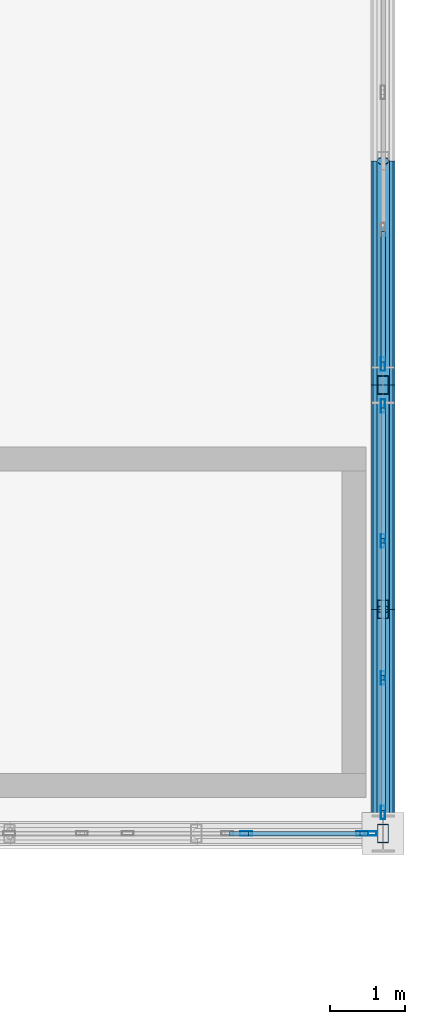
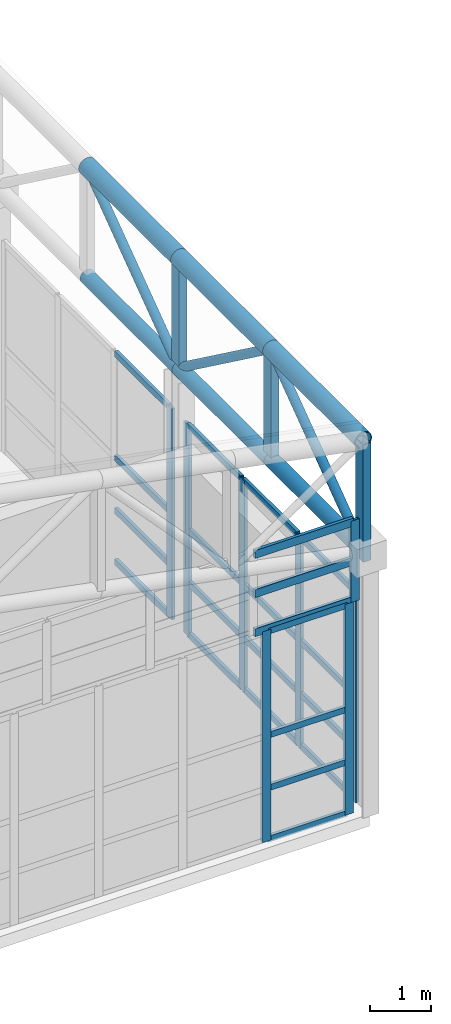
# One storey, part 54 of 112: 43 members, 4 elements without a shape of their own.
"""IFC4 building model written with IfcOpenShell, lengths in metres."""

from ifc_helpers import new_model, si_unit, direction, frame, origin, origin_2d, place, context, subcontext, project, spatial, hollow_rectangle, hollow_circle, extrude, material, material_profile, profile_set, type_object, element, aggregate, save


model = new_model("IFC4")

# Units and contexts
model_context = context("Model", 3, precision=1e-05, world=origin(), true_north=direction((0.0, 1.0)))
body_context = subcontext(model_context, "Body", "Model", "MODEL_VIEW")
ifc_project = project(units=[si_unit("LENGTHUNIT", "METRE"), si_unit("AREAUNIT", "SQUARE_METRE"), si_unit("VOLUMEUNIT", "CUBIC_METRE"), si_unit("PLANEANGLEUNIT", "RADIAN"), si_unit("MASSUNIT", "GRAM", prefix="KILO")], contexts=[model_context])

# Site, building, storey
site_placement = place(None, origin())
site = spatial("IfcSite", under=ifc_project, at=site_placement, CompositionType="ELEMENT")
building_placement = place(site_placement, origin())
building = spatial("IfcBuilding", under=site, at=building_placement, Name="Kaldris Quays Convention Centre", CompositionType="ELEMENT")
storey_placement = place(building_placement, frame((0.0, 0.0, 16.800048828125)))
storey = spatial("IfcBuildingStorey", under=building, at=storey_placement, Name="L03", CompositionType="ELEMENT", Elevation=16.800048828125)

# Curtain wall, members
ifc_material_1 = material(Name="Anodized aluminium AW-6060 and triple glazing", Category="aluminium")
curtain_wall_type_1 = type_object("IfcCurtainWallType", Name="UNITISED CURTAIN WALL CW01", PredefinedType="NOTDEFINED", material=ifc_material_1)
curtain_wall_1_placement = place(storey_placement, origin())
curtain_wall_1 = element("IfcCurtainWall", 1, at=curtain_wall_1_placement, inside=storey, type_object=curtain_wall_type_1, Name="L03 Unitised Curtain Wall CW01 39", PredefinedType="NOTDEFINED")
ifc_material_2 = material(Name="Anodized aluminium AW-6060", Category="aluminium")
ifc_material_profile_1 = material_profile(ifc_material_2, hollow_rectangle(XDim=0.06005859375, YDim=0.159912109375, WallThickness=0.00390625, at=origin_2d()), Name="RHS 160x60x4")
ifc_profile_set_1 = profile_set([ifc_material_profile_1], Name="Anodized aluminium AW-6060")
member_type_1 = type_object("IfcMemberType", Name="CURTAIN MULLION CWM1", PredefinedType="MULLION", material=ifc_profile_set_1)
member_1_placement = place(storey_placement, frame((202.166748046875, 56.0, 0.0), z_axis=(0.0, 0.0, 1.0), x_axis=(0.0, 1.0, 0.0)))
member_1 = element("IfcMember", 2, at=member_1_placement, type_object=member_type_1, Name="CW01 mullion 6", PredefinedType="MULLION", context=body_context, shape_type="SweptSolid", body=[
    extrude(hollow_rectangle(XDim=0.06005859375, YDim=0.159912109375, WallThickness=0.00390625, at=origin_2d()), origin(), (0.0, 0.0, 1.0), 4.199951171875),
])
member_2_placement = place(storey_placement, frame((203.719970703125, 56.0, 0.0), z_axis=(0.0, 0.0, 1.0), x_axis=(0.0, 1.0, 0.0)))
member_2 = element("IfcMember", 3, at=member_2_placement, type_object=member_type_1, Name="CW01 mullion 7", PredefinedType="MULLION", context=body_context, shape_type="SweptSolid", body=[
    extrude(hollow_rectangle(XDim=0.06005859375, YDim=0.159912109375, WallThickness=0.00390625, at=origin_2d()), origin(), (0.0, 0.0, 1.0), 4.199951171875),
])

# Curtain wall, member
curtain_wall_type_2 = type_object("IfcCurtainWallType", Name="UNITISED CURTAIN WALL CW05", PredefinedType="NOTDEFINED", material=ifc_material_1)
curtain_wall_2_placement = place(storey_placement, origin())
curtain_wall_2 = element("IfcCurtainWall", 4, at=curtain_wall_2_placement, inside=storey, type_object=curtain_wall_type_2, Name="L03 Unitised Curtain Wall CW05 258", PredefinedType="NOTDEFINED")
member_3_placement = place(storey_placement, frame((203.830078125, 56.0, 4.195068359375), z_axis=(0.0, 0.0, 1.0), x_axis=(0.0, 1.0, 0.0)))
member_3 = element("IfcMember", 5, at=member_3_placement, type_object=member_type_1, Name="CW05 mullion 6", PredefinedType="MULLION", context=body_context, shape_type="SweptSolid", body=[
    extrude(hollow_rectangle(XDim=0.06005859375, YDim=0.159912109375, WallThickness=0.00390625, at=origin_2d()), origin(), (0.0, 0.0, 1.0), 1.618896484375),
])

# Curtain wall, members
curtain_wall_type_3 = type_object("IfcCurtainWallType", Name="UNITISED CURTAIN WALL CW02", PredefinedType="NOTDEFINED", material=ifc_material_1)
curtain_wall_3_placement = place(storey_placement, origin())
curtain_wall_3 = element("IfcCurtainWall", 6, at=curtain_wall_3_placement, inside=storey, type_object=curtain_wall_type_3, Name="L03 Unitised Curtain Wall CW02 40", PredefinedType="NOTDEFINED")
ifc_material_profile_2 = material_profile(ifc_material_2, hollow_rectangle(XDim=0.06005859375, YDim=0.179931640625, WallThickness=0.0048828125, at=origin_2d()), Name="RHS 180x60x5")
ifc_profile_set_2 = profile_set([ifc_material_profile_2], Name="Anodized aluminium AW-6060")
member_type_2 = type_object("IfcMemberType", Name="CURTAIN MULLION CWM2", PredefinedType="MULLION", material=ifc_profile_set_2)
member_4_placement = place(storey_placement, frame((204.0, 56.280029296875, 0.0), z_axis=(0.0, 0.0, 1.0), x_axis=(-1.0, 0.0, 0.0)))
member_4 = element("IfcMember", 7, at=member_4_placement, type_object=member_type_2, Name="CW02 mullion 1", PredefinedType="MULLION", context=body_context, shape_type="SweptSolid", body=[
    extrude(hollow_rectangle(XDim=0.06005859375, YDim=0.179931640625, WallThickness=0.0048828125, at=origin_2d()), origin(), (0.0, 0.0, 1.0), 4.199951171875),
])
member_5_placement = place(storey_placement, frame((204.0, 58.083251953125, 0.0), z_axis=(0.0, 0.0, 1.0), x_axis=(-1.0, 0.0, 0.0)))
member_5 = element("IfcMember", 8, at=member_5_placement, type_object=member_type_2, Name="CW02 mullion 2", PredefinedType="MULLION", context=body_context, shape_type="SweptSolid", body=[
    extrude(hollow_rectangle(XDim=0.06005859375, YDim=0.179931640625, WallThickness=0.0048828125, at=origin_2d()), origin(), (0.0, 0.0, 1.0), 4.199951171875),
])
member_6_placement = place(storey_placement, frame((204.0, 59.916748046875, 0.0), z_axis=(0.0, 0.0, 1.0), x_axis=(-1.0, 0.0, 0.0)))
member_6 = element("IfcMember", 9, at=member_6_placement, type_object=member_type_2, Name="CW02 mullion 3", PredefinedType="MULLION", context=body_context, shape_type="SweptSolid", body=[
    extrude(hollow_rectangle(XDim=0.06005859375, YDim=0.179931640625, WallThickness=0.0048828125, at=origin_2d()), origin(), (0.0, 0.0, 1.0), 4.199951171875),
])
member_7_placement = place(storey_placement, frame((204.0, 61.719970703125, 0.0), z_axis=(0.0, 0.0, 1.0), x_axis=(-1.0, 0.0, 0.0)))
member_7 = element("IfcMember", 10, at=member_7_placement, type_object=member_type_2, Name="CW02 mullion 4", PredefinedType="MULLION", context=body_context, shape_type="SweptSolid", body=[
    extrude(hollow_rectangle(XDim=0.06005859375, YDim=0.179931640625, WallThickness=0.0048828125, at=origin_2d()), origin(), (0.0, 0.0, 1.0), 4.199951171875),
])

# Curtain wall, member
curtain_wall_4_placement = place(storey_placement, origin())
curtain_wall_4 = element("IfcCurtainWall", 11, at=curtain_wall_4_placement, inside=storey, type_object=curtain_wall_type_3, Name="L03 Unitised Curtain Wall CW02 41", PredefinedType="NOTDEFINED")
member_8_placement = place(storey_placement, frame((204.0, 62.280029296875, 0.0), z_axis=(0.0, 0.0, 1.0), x_axis=(-1.0, 0.0, 0.0)))
member_8 = element("IfcMember", 12, at=member_8_placement, type_object=member_type_2, Name="CW02 mullion 1", PredefinedType="MULLION", context=body_context, shape_type="SweptSolid", body=[
    extrude(hollow_rectangle(XDim=0.06005859375, YDim=0.179931640625, WallThickness=0.0048828125, at=origin_2d()), origin(), (0.0, 0.0, 1.0), 4.199951171875),
])

# Member
ifc_material_profile_3 = material_profile(ifc_material_2, hollow_rectangle(XDim=0.06005859375, YDim=0.1201171875, WallThickness=0.00390625, at=origin_2d()), Name="RHS 120x60x4")
ifc_profile_set_3 = profile_set([ifc_material_profile_3], Name="Anodized aluminium AW-6060")
member_type_3 = type_object("IfcMemberType", Name="CURTAIN TRANSOM CWT1", PredefinedType="USERDEFINED", material=ifc_profile_set_3)
member_9_placement = place(storey_placement, frame((202.19677734375, 56.0, 0.030029296875), z_axis=(1.0, 0.0, 0.0), x_axis=(0.0, 1.0, 0.0)))
member_9 = element("IfcMember", 13, at=member_9_placement, type_object=member_type_3, Name="CW01 transom 6.1", ObjectType="TRANSOM", PredefinedType="USERDEFINED", context=body_context, shape_type="SweptSolid", body=[
    extrude(hollow_rectangle(XDim=0.06005859375, YDim=0.1201171875, WallThickness=0.00390625, at=origin_2d()), origin(), (0.0, 0.0, 1.0), 1.4931640625),
])

member_10_placement = place(storey_placement, frame((202.19677734375, 56.0, 1.050048828125), z_axis=(1.0, 0.0, 0.0), x_axis=(0.0, 1.0, 0.0)))
member_10 = element("IfcMember", 14, at=member_10_placement, type_object=member_type_3, Name="CW01 transom 6.2", ObjectType="TRANSOM", PredefinedType="USERDEFINED", context=body_context, shape_type="SweptSolid", body=[
    extrude(hollow_rectangle(XDim=0.06005859375, YDim=0.1201171875, WallThickness=0.00390625, at=origin_2d()), origin(), (0.0, 0.0, 1.0), 1.4931640625),
])

member_11_placement = place(storey_placement, frame((202.19677734375, 56.0, 2.099853515625), z_axis=(1.0, 0.0, 0.0), x_axis=(0.0, 1.0, 0.0)))
member_11 = element("IfcMember", 15, at=member_11_placement, type_object=member_type_3, Name="CW01 transom 6.3", ObjectType="TRANSOM", PredefinedType="USERDEFINED", context=body_context, shape_type="SweptSolid", body=[
    extrude(hollow_rectangle(XDim=0.06005859375, YDim=0.1201171875, WallThickness=0.00390625, at=origin_2d()), origin(), (0.0, 0.0, 1.0), 1.4931640625),
])

member_12_placement = place(storey_placement, frame((202.19677734375, 56.0, 4.169921875), z_axis=(1.0, 0.0, 0.0), x_axis=(0.0, 1.0, 0.0)))
member_12 = element("IfcMember", 16, at=member_12_placement, type_object=member_type_3, Name="CW01 transom 6.4", ObjectType="TRANSOM", PredefinedType="USERDEFINED", context=body_context, shape_type="SweptSolid", body=[
    extrude(hollow_rectangle(XDim=0.06005859375, YDim=0.1201171875, WallThickness=0.00390625, at=origin_2d()), origin(), (0.0, 0.0, 1.0), 1.4931640625),
])

aggregate(curtain_wall_1, [member_1, member_2, member_9, member_10, member_11, member_12])

member_13_placement = place(storey_placement, frame((204.0, 56.31005859375, 0.030029296875), z_axis=(0.0, 1.0, 0.0), x_axis=(-1.0, 0.0, 0.0)))
member_13 = element("IfcMember", 17, at=member_13_placement, type_object=member_type_3, Name="CW02 transom 1.1", ObjectType="TRANSOM", PredefinedType="USERDEFINED", context=body_context, shape_type="SweptSolid", body=[
    extrude(hollow_rectangle(XDim=0.06005859375, YDim=0.1201171875, WallThickness=0.00390625, at=origin_2d()), origin(), (0.0, 0.0, 1.0), 1.7431640625),
])

member_14_placement = place(storey_placement, frame((204.0, 56.31005859375, 1.050048828125), z_axis=(0.0, 1.0, 0.0), x_axis=(-1.0, 0.0, 0.0)))
member_14 = element("IfcMember", 18, at=member_14_placement, type_object=member_type_3, Name="CW02 transom 1.2", ObjectType="TRANSOM", PredefinedType="USERDEFINED", context=body_context, shape_type="SweptSolid", body=[
    extrude(hollow_rectangle(XDim=0.06005859375, YDim=0.1201171875, WallThickness=0.00390625, at=origin_2d()), origin(), (0.0, 0.0, 1.0), 1.7431640625),
])

member_15_placement = place(storey_placement, frame((204.0, 56.31005859375, 2.099853515625), z_axis=(0.0, 1.0, 0.0), x_axis=(-1.0, 0.0, 0.0)))
member_15 = element("IfcMember", 19, at=member_15_placement, type_object=member_type_3, Name="CW02 transom 1.3", ObjectType="TRANSOM", PredefinedType="USERDEFINED", context=body_context, shape_type="SweptSolid", body=[
    extrude(hollow_rectangle(XDim=0.06005859375, YDim=0.1201171875, WallThickness=0.00390625, at=origin_2d()), origin(), (0.0, 0.0, 1.0), 1.7431640625),
])

member_16_placement = place(storey_placement, frame((204.0, 56.31005859375, 4.169921875), z_axis=(0.0, 1.0, 0.0), x_axis=(-1.0, 0.0, 0.0)))
member_16 = element("IfcMember", 20, at=member_16_placement, type_object=member_type_3, Name="CW02 transom 1.4", ObjectType="TRANSOM", PredefinedType="USERDEFINED", context=body_context, shape_type="SweptSolid", body=[
    extrude(hollow_rectangle(XDim=0.06005859375, YDim=0.1201171875, WallThickness=0.00390625, at=origin_2d()), origin(), (0.0, 0.0, 1.0), 1.7431640625),
])

member_17_placement = place(storey_placement, frame((204.0, 58.11328125, 0.030029296875), z_axis=(0.0, 1.0, 0.0), x_axis=(-1.0, 0.0, 0.0)))
member_17 = element("IfcMember", 21, at=member_17_placement, type_object=member_type_3, Name="CW02 transom 2.1", ObjectType="TRANSOM", PredefinedType="USERDEFINED", context=body_context, shape_type="SweptSolid", body=[
    extrude(hollow_rectangle(XDim=0.06005859375, YDim=0.1201171875, WallThickness=0.00390625, at=origin_2d()), origin(), (0.0, 0.0, 1.0), 1.7734375),
])

member_18_placement = place(storey_placement, frame((204.0, 58.11328125, 1.050048828125), z_axis=(0.0, 1.0, 0.0), x_axis=(-1.0, 0.0, 0.0)))
member_18 = element("IfcMember", 22, at=member_18_placement, type_object=member_type_3, Name="CW02 transom 2.2", ObjectType="TRANSOM", PredefinedType="USERDEFINED", context=body_context, shape_type="SweptSolid", body=[
    extrude(hollow_rectangle(XDim=0.06005859375, YDim=0.1201171875, WallThickness=0.00390625, at=origin_2d()), origin(), (0.0, 0.0, 1.0), 1.7734375),
])

member_19_placement = place(storey_placement, frame((204.0, 58.11328125, 2.099853515625), z_axis=(0.0, 1.0, 0.0), x_axis=(-1.0, 0.0, 0.0)))
member_19 = element("IfcMember", 23, at=member_19_placement, type_object=member_type_3, Name="CW02 transom 2.3", ObjectType="TRANSOM", PredefinedType="USERDEFINED", context=body_context, shape_type="SweptSolid", body=[
    extrude(hollow_rectangle(XDim=0.06005859375, YDim=0.1201171875, WallThickness=0.00390625, at=origin_2d()), origin(), (0.0, 0.0, 1.0), 1.7734375),
])

member_20_placement = place(storey_placement, frame((204.0, 58.11328125, 4.169921875), z_axis=(0.0, 1.0, 0.0), x_axis=(-1.0, 0.0, 0.0)))
member_20 = element("IfcMember", 24, at=member_20_placement, type_object=member_type_3, Name="CW02 transom 2.4", ObjectType="TRANSOM", PredefinedType="USERDEFINED", context=body_context, shape_type="SweptSolid", body=[
    extrude(hollow_rectangle(XDim=0.06005859375, YDim=0.1201171875, WallThickness=0.00390625, at=origin_2d()), origin(), (0.0, 0.0, 1.0), 1.7734375),
])

member_21_placement = place(storey_placement, frame((204.0, 59.94677734375, 0.030029296875), z_axis=(0.0, 1.0, 0.0), x_axis=(-1.0, 0.0, 0.0)))
member_21 = element("IfcMember", 25, at=member_21_placement, type_object=member_type_3, Name="CW02 transom 3.1", ObjectType="TRANSOM", PredefinedType="USERDEFINED", context=body_context, shape_type="SweptSolid", body=[
    extrude(hollow_rectangle(XDim=0.06005859375, YDim=0.1201171875, WallThickness=0.00390625, at=origin_2d()), origin(), (0.0, 0.0, 1.0), 1.7431640625),
])

member_22_placement = place(storey_placement, frame((204.0, 59.94677734375, 1.050048828125), z_axis=(0.0, 1.0, 0.0), x_axis=(-1.0, 0.0, 0.0)))
member_22 = element("IfcMember", 26, at=member_22_placement, type_object=member_type_3, Name="CW02 transom 3.2", ObjectType="TRANSOM", PredefinedType="USERDEFINED", context=body_context, shape_type="SweptSolid", body=[
    extrude(hollow_rectangle(XDim=0.06005859375, YDim=0.1201171875, WallThickness=0.00390625, at=origin_2d()), origin(), (0.0, 0.0, 1.0), 1.7431640625),
])

member_23_placement = place(storey_placement, frame((204.0, 59.94677734375, 2.099853515625), z_axis=(0.0, 1.0, 0.0), x_axis=(-1.0, 0.0, 0.0)))
member_23 = element("IfcMember", 27, at=member_23_placement, type_object=member_type_3, Name="CW02 transom 3.3", ObjectType="TRANSOM", PredefinedType="USERDEFINED", context=body_context, shape_type="SweptSolid", body=[
    extrude(hollow_rectangle(XDim=0.06005859375, YDim=0.1201171875, WallThickness=0.00390625, at=origin_2d()), origin(), (0.0, 0.0, 1.0), 1.7431640625),
])

member_24_placement = place(storey_placement, frame((204.0, 59.94677734375, 4.169921875), z_axis=(0.0, 1.0, 0.0), x_axis=(-1.0, 0.0, 0.0)))
member_24 = element("IfcMember", 28, at=member_24_placement, type_object=member_type_3, Name="CW02 transom 3.4", ObjectType="TRANSOM", PredefinedType="USERDEFINED", context=body_context, shape_type="SweptSolid", body=[
    extrude(hollow_rectangle(XDim=0.06005859375, YDim=0.1201171875, WallThickness=0.00390625, at=origin_2d()), origin(), (0.0, 0.0, 1.0), 1.7431640625),
])

aggregate(curtain_wall_3, [member_4, member_5, member_6, member_7, member_13, member_14, member_15, member_16, member_17, member_18, member_19, member_20, member_21, member_22, member_23, member_24])

member_25_placement = place(storey_placement, frame((204.0, 62.31005859375, 0.030029296875), z_axis=(0.0, 1.0, 0.0), x_axis=(-1.0, 0.0, 0.0)))
member_25 = element("IfcMember", 29, at=member_25_placement, type_object=member_type_3, Name="CW02 transom 1.1", ObjectType="TRANSOM", PredefinedType="USERDEFINED", context=body_context, shape_type="SweptSolid", body=[
    extrude(hollow_rectangle(XDim=0.06005859375, YDim=0.1201171875, WallThickness=0.00390625, at=origin_2d()), origin(), (0.0, 0.0, 1.0), 1.7431640625),
])

member_26_placement = place(storey_placement, frame((204.0, 62.31005859375, 1.050048828125), z_axis=(0.0, 1.0, 0.0), x_axis=(-1.0, 0.0, 0.0)))
member_26 = element("IfcMember", 30, at=member_26_placement, type_object=member_type_3, Name="CW02 transom 1.2", ObjectType="TRANSOM", PredefinedType="USERDEFINED", context=body_context, shape_type="SweptSolid", body=[
    extrude(hollow_rectangle(XDim=0.06005859375, YDim=0.1201171875, WallThickness=0.00390625, at=origin_2d()), origin(), (0.0, 0.0, 1.0), 1.7431640625),
])

member_27_placement = place(storey_placement, frame((204.0, 62.31005859375, 2.099853515625), z_axis=(0.0, 1.0, 0.0), x_axis=(-1.0, 0.0, 0.0)))
member_27 = element("IfcMember", 31, at=member_27_placement, type_object=member_type_3, Name="CW02 transom 1.3", ObjectType="TRANSOM", PredefinedType="USERDEFINED", context=body_context, shape_type="SweptSolid", body=[
    extrude(hollow_rectangle(XDim=0.06005859375, YDim=0.1201171875, WallThickness=0.00390625, at=origin_2d()), origin(), (0.0, 0.0, 1.0), 1.7431640625),
])

member_28_placement = place(storey_placement, frame((204.0, 62.31005859375, 4.169921875), z_axis=(0.0, 1.0, 0.0), x_axis=(-1.0, 0.0, 0.0)))
member_28 = element("IfcMember", 32, at=member_28_placement, type_object=member_type_3, Name="CW02 transom 1.4", ObjectType="TRANSOM", PredefinedType="USERDEFINED", context=body_context, shape_type="SweptSolid", body=[
    extrude(hollow_rectangle(XDim=0.06005859375, YDim=0.1201171875, WallThickness=0.00390625, at=origin_2d()), origin(), (0.0, 0.0, 1.0), 1.7431640625),
])

aggregate(curtain_wall_4, [member_8, member_25, member_26, member_27, member_28])

ifc_material_profile_4 = material_profile(ifc_material_2, hollow_rectangle(XDim=0.06005859375, YDim=0.159912109375, WallThickness=0.00390625, at=origin_2d()), Name="RHS 160x60x4")
ifc_profile_set_4 = profile_set([ifc_material_profile_4], Name="Anodized aluminium AW-6060")
member_type_4 = type_object("IfcMemberType", Name="CURTAIN TRANSOM CWT2", PredefinedType="USERDEFINED", material=ifc_profile_set_4)
member_29_placement = place(storey_placement, frame((201.946044921875, 56.0, 4.224853515625), z_axis=(1.0, 0.0, 0.0), x_axis=(0.0, 1.0, 0.0)))
member_29 = element("IfcMember", 33, at=member_29_placement, type_object=member_type_4, Name="CW05 transom 5.1", ObjectType="TRANSOM", PredefinedType="USERDEFINED", context=body_context, shape_type="SweptSolid", body=[
    extrude(hollow_rectangle(XDim=0.06005859375, YDim=0.159912109375, WallThickness=0.00390625, at=origin_2d()), origin(), (0.0, 0.0, 1.0), 1.85400390625),
])

member_30_placement = place(storey_placement, frame((201.946044921875, 56.0, 5.0048828125), z_axis=(1.0, 0.0, 0.0), x_axis=(0.0, 1.0, 0.0)))
member_30 = element("IfcMember", 34, at=member_30_placement, type_object=member_type_4, Name="CW05 transom 5.2", ObjectType="TRANSOM", PredefinedType="USERDEFINED", context=body_context, shape_type="SweptSolid", body=[
    extrude(hollow_rectangle(XDim=0.06005859375, YDim=0.159912109375, WallThickness=0.00390625, at=origin_2d()), origin(), (0.0, 0.0, 1.0), 1.85400390625),
])

member_31_placement = place(storey_placement, frame((201.946044921875, 56.0, 5.783935546875), z_axis=(1.0, 0.0, 0.0), x_axis=(0.0, 1.0, 0.0)))
member_31 = element("IfcMember", 35, at=member_31_placement, type_object=member_type_4, Name="CW05 transom 5.3", ObjectType="TRANSOM", PredefinedType="USERDEFINED", context=body_context, shape_type="SweptSolid", body=[
    extrude(hollow_rectangle(XDim=0.06005859375, YDim=0.159912109375, WallThickness=0.00390625, at=origin_2d()), origin(), (0.0, 0.0, 1.0), 1.85400390625),
])

aggregate(curtain_wall_2, [member_3, member_29, member_30, member_31])

# Members
ifc_material_3 = material(Name="Steel S355J2H", Category="steel")
ifc_material_profile_5 = material_profile(ifc_material_3, hollow_circle(Radius=0.161865234375, WallThickness=0.01611328125, at=origin_2d()), Name="CHS 323.9x16")
ifc_profile_set_5 = profile_set([ifc_material_profile_5], Name="Steel S355J2H")
member_type_5 = type_object("IfcMemberType", Name="STRUCTURAL MEMBER SC03", PredefinedType="CHORD", material=ifc_profile_set_5)
for number, where, z_axis, x_axis, name in (
    (36, (204.0, 56.0, 7.33056640625), (0.0, 1.0, 0.0), (-1.0, 0.0, 0.0), "SF-V2 Top Chord Y 140"),
    (37, (204.0, 59.0, 7.33056640625), (0.0, 1.0, 0.0), (-1.0, 0.0, 0.0), "SF-V2 Top Chord Y 141"),
    (38, (204.0, 62.0, 7.33056640625), (0.0, 1.0, 0.0), (-1.0, 0.0, 0.0), "SF-V2 Top Chord Y 142"),
):
    element("IfcMember", number, at=place(storey_placement, frame(where, z_axis=z_axis, x_axis=x_axis)), inside=storey, type_object=member_type_5, Name=name, PredefinedType="CHORD", context=body_context, shape_type="SweptSolid", body=[
        extrude(hollow_circle(Radius=0.161865234375, WallThickness=0.01611328125, at=origin_2d()), origin(), (0.0, 0.0, 1.0), 3.0),
    ])
ifc_material_profile_6 = material_profile(ifc_material_3, hollow_circle(Radius=0.136474609375, WallThickness=0.012451171875, at=origin_2d()), Name="CHS 273x12.5")
ifc_profile_set_6 = profile_set([ifc_material_profile_6], Name="Steel S355J2H")
member_type_6 = type_object("IfcMemberType", Name="STRUCTURAL MEMBER SC04", PredefinedType="CHORD", material=ifc_profile_set_6)
for number, where, z_axis, x_axis, name in (
    (39, (204.0, 56.0, 5.13037109375), (0.0, 1.0, 0.0), (-1.0, 0.0, 0.0), "SF-V2 Bottom Chord Y 140"),
    (40, (204.0, 59.0, 5.13037109375), (0.0, 1.0, 0.0), (-1.0, 0.0, 0.0), "SF-V2 Bottom Chord Y 141"),
    (41, (204.0, 62.0, 5.13037109375), (0.0, 1.0, 0.0), (-1.0, 0.0, 0.0), "SF-V2 Bottom Chord Y 142"),
):
    element("IfcMember", number, at=place(storey_placement, frame(where, z_axis=z_axis, x_axis=x_axis)), inside=storey, type_object=member_type_6, Name=name, PredefinedType="CHORD", context=body_context, shape_type="SweptSolid", body=[
        extrude(hollow_circle(Radius=0.136474609375, WallThickness=0.012451171875, at=origin_2d()), origin(), (0.0, 0.0, 1.0), 3.0),
    ])
ifc_material_profile_7 = material_profile(ifc_material_3, hollow_circle(Radius=0.084228515625, WallThickness=0.008056640625, at=origin_2d()), Name="CHS 168.3x8")
ifc_profile_set_7 = profile_set([ifc_material_profile_7], Name="Steel S355J2H")
member_type_7 = type_object("IfcMemberType", Name="STRUCTURAL MEMBER SWB2", PredefinedType="BRACE", material=ifc_profile_set_7)
for number, where, z_axis, x_axis, name in (
    (42, (204.0, 56.0, 5.13037109375), (0.0, 0.806379959628, 0.591397802423), (-1.0, 0.0, 0.0), "SF-V2 Web Diagonal Y 140"),
    (43, (204.0, 62.0, 5.13037109375), (0.0, -0.806379959628, 0.591397802423), (1.0, 0.0, 0.0), "SF-V2 Web Diagonal Y 141"),
    (44, (204.0, 62.0, 5.13037109375), (0.0, 0.806379959628, 0.591397802423), (-1.0, 0.0, 0.0), "SF-V2 Web Diagonal Y 142"),
):
    element("IfcMember", number, at=place(storey_placement, frame(where, z_axis=z_axis, x_axis=x_axis)), inside=storey, type_object=member_type_7, Name=name, PredefinedType="BRACE", context=body_context, shape_type="SweptSolid", body=[
        extrude(hollow_circle(Radius=0.084228515625, WallThickness=0.008056640625, at=origin_2d()), origin(), (0.0, 0.0, 1.0), 3.72021484375),
    ])
ifc_material_profile_8 = material_profile(ifc_material_3, hollow_rectangle(XDim=0.14990234375, YDim=0.25, WallThickness=0.010009765625, at=origin_2d()), Name="RHS 250x150x10")
ifc_profile_set_8 = profile_set([ifc_material_profile_8], Name="Steel S355J2H")
member_type_8 = type_object("IfcMemberType", Name="STRUCTURAL MEMBER TTV1", PredefinedType="POST", material=ifc_profile_set_8)
member_32_placement = place(storey_placement, frame((204.0, 56.0, 4.993896484375), z_axis=(0.0, 0.0, 1.0), x_axis=(1.0, 0.0, 0.0)))
element("IfcMember", 45, at=member_32_placement, inside=storey, type_object=member_type_8, Name="SF-V2 Space-Frame Post 124", PredefinedType="POST", context=body_context, shape_type="SweptSolid", body=[
    extrude(hollow_rectangle(XDim=0.14990234375, YDim=0.25, WallThickness=0.010009765625, at=origin_2d()), origin(), (0.0, 0.0, 1.0), 2.336669921875),
])
member_33_placement = place(storey_placement, frame((204.0, 59.0, 5.13037109375), z_axis=(0.0, 0.0, 1.0), x_axis=(1.0, 0.0, 0.0)))
element("IfcMember", 46, at=member_33_placement, inside=storey, type_object=member_type_8, Name="SF-V2 Space-Frame Post 125", PredefinedType="POST", context=body_context, shape_type="SweptSolid", body=[
    extrude(hollow_rectangle(XDim=0.14990234375, YDim=0.25, WallThickness=0.010009765625, at=origin_2d()), origin(), (0.0, 0.0, 1.0), 2.2001953125),
])
member_34_placement = place(storey_placement, frame((204.0, 62.0, 4.993896484375), z_axis=(0.0, 0.0, 1.0), x_axis=(1.0, 0.0, 0.0)))
element("IfcMember", 47, at=member_34_placement, inside=storey, type_object=member_type_8, Name="SF-V2 Space-Frame Post 126", PredefinedType="POST", context=body_context, shape_type="SweptSolid", body=[
    extrude(hollow_rectangle(XDim=0.14990234375, YDim=0.25, WallThickness=0.010009765625, at=origin_2d()), origin(), (0.0, 0.0, 1.0), 2.336669921875),
])

save(model, "model.ifc")
